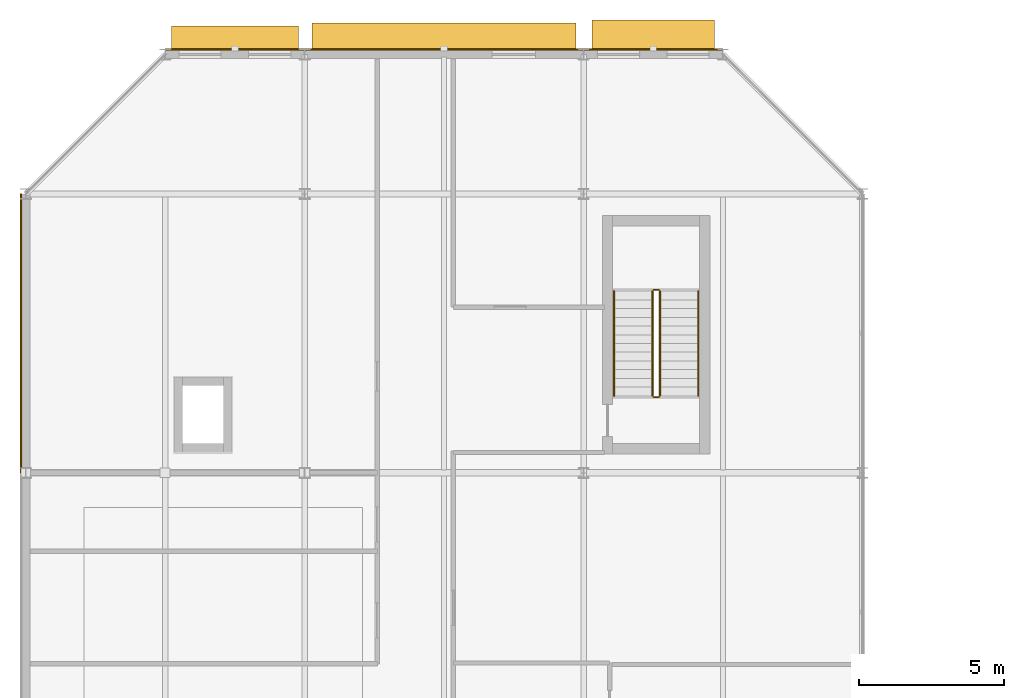
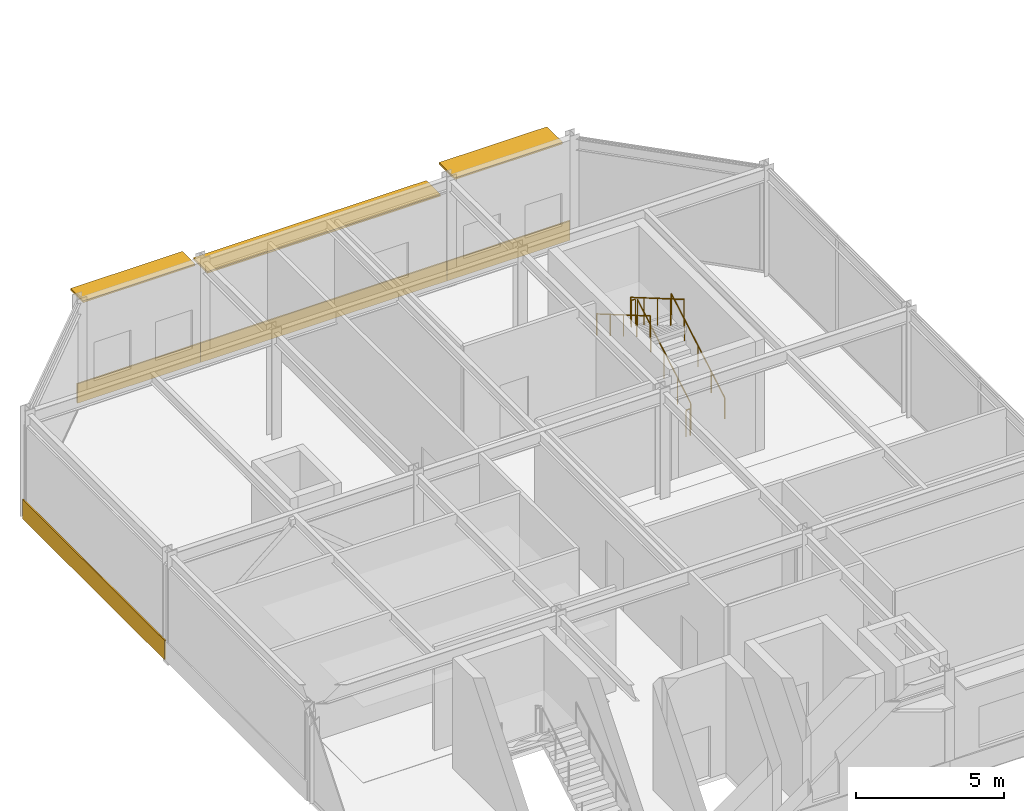
# One storey, part 107 of 116: 6 railings, 4 coverings, 3 shading devices.
"""IFC4 building model written with IfcOpenShell, lengths in metres."""

from ifc_helpers import new_model, si_unit, direction, frame, origin, origin_2d, place, context, subcontext, project, spatial, rectangle, circle, extrude, material, layer, layer_set, type_object, element, save


model = new_model("IFC4")

# Units and contexts
model_context = context("Model", 3, precision=1e-05, world=origin(), true_north=direction((0.0, 1.0)))
body_context = subcontext(model_context, "Body", "Model", "MODEL_VIEW")
ifc_project = project(units=[si_unit("LENGTHUNIT", "METRE"), si_unit("AREAUNIT", "SQUARE_METRE"), si_unit("VOLUMEUNIT", "CUBIC_METRE"), si_unit("PLANEANGLEUNIT", "RADIAN"), si_unit("MASSUNIT", "GRAM", prefix="KILO")], contexts=[model_context])

# Site, building, storey
site_placement = place(None, origin())
site = spatial("IfcSite", under=ifc_project, at=site_placement, CompositionType="ELEMENT")
building_placement = place(site_placement, origin())
building = spatial("IfcBuilding", under=site, at=building_placement, Name="Almandine Court Research Institute", CompositionType="ELEMENT")
storey_placement = place(building_placement, frame((0.0, 0.0, 14.35009765625)))
storey = spatial("IfcBuildingStorey", under=building, at=storey_placement, Name="L03", CompositionType="ELEMENT", Elevation=14.35009765625)

# Coverings
ifc_material_1 = material(Name="Extruded Cream-Ochre Seismic Terracotta Spandrel", Category="masonry")
ifc_layer_1 = layer(ifc_material_1, 0.054931640625)
ifc_layer_set_1 = layer_set([ifc_layer_1], Name="Extruded Cream-Ochre Seismic Terracotta Spandrel")
covering_type = type_object("IfcCoveringType", Name="Cov-CLAD-TERR", PredefinedType="CLADDING", material=ifc_layer_set_1)
covering_1_placement = place(storey_placement, frame((5.830078125, 108.0, 0.02001953125), z_axis=(0.0, 0.0, 1.0), x_axis=(0.0, 1.0, 0.0)))
element("IfcCovering", 1, at=covering_1_placement, inside=storey, type_object=covering_type, Name="L03 Facade Spandrel Cladding Band 68", PredefinedType="CLADDING", context=body_context, shape_type="SweptSolid", body=[
    extrude(rectangle(XDim=9.592041015625, YDim=0.054931640625, at=origin_2d()), origin(), (0.0, 0.0, 1.0), 0.800048828125),
])
covering_2_placement = place(storey_placement, frame((13.199951171875, 117.77001953125, 0.02001953125), z_axis=(0.0, 0.0, 1.0), x_axis=(1.0, 0.0, 0.0)))
element("IfcCovering", 2, at=covering_2_placement, inside=storey, type_object=covering_type, Name="L03 Facade Spandrel Cladding Band 69", PredefinedType="CLADDING", context=body_context, shape_type="SweptSolid", body=[
    extrude(rectangle(XDim=4.7919921875, YDim=0.054931640625, at=origin_2d()), origin(), (0.0, 0.0, 1.0), 0.800048828125),
])
covering_3_placement = place(storey_placement, frame((20.39990234375, 117.77001953125, 0.02001953125), z_axis=(0.0, 0.0, 1.0), x_axis=(1.0, 0.0, 0.0)))
element("IfcCovering", 3, at=covering_3_placement, inside=storey, type_object=covering_type, Name="L03 Facade Spandrel Cladding Band 70", PredefinedType="CLADDING", context=body_context, shape_type="SweptSolid", body=[
    extrude(rectangle(XDim=9.592041015625, YDim=0.054931640625, at=origin_2d()), origin(), (0.0, 0.0, 1.0), 0.800048828125),
])
covering_4_placement = place(storey_placement, frame((27.60009765625, 117.77001953125, 0.02001953125), z_axis=(0.0, 0.0, 1.0), x_axis=(1.0, 0.0, 0.0)))
element("IfcCovering", 4, at=covering_4_placement, inside=storey, type_object=covering_type, Name="L03 Facade Spandrel Cladding Band 71", PredefinedType="CLADDING", context=body_context, shape_type="SweptSolid", body=[
    extrude(rectangle(XDim=4.7919921875, YDim=0.054931640625, at=origin_2d()), origin(), (0.0, 0.0, 1.0), 0.800048828125),
])

# Railings
ifc_material_2 = material(Name="Powder-Coated Steel Stair and Atrium Balustrade", Category="steel")
railing_type_1 = type_object("IfcRailingType", Name="Rail-GUARD-INT", PredefinedType="BALUSTRADE", material=ifc_material_2)
railing_1_placement = place(storey_placement, frame((27.830078125, 105.85009765625, 0.1748046875)))
element("IfcRailing", 5, at=railing_1_placement, inside=storey, type_object=railing_type_1, Name="L03 ST-06 stair guard 1", PredefinedType="BALUSTRADE", context=body_context, shape_type="SweptSolid", body=[
    extrude(circle(Radius=0.02392578125, at=origin_2d()), frame((0.0, 0.0, 1.09619140625), z_axis=(0.0, 0.863759778359, 0.503903805591), x_axis=(-1.0, 0.0, 0.0)), (0.0, 0.0, 1.0), 4.167724609375),
    extrude(circle(Radius=0.02099609375, at=origin_2d()), origin(), (0.0, 0.0, 1.0), 1.072021484375),
    extrude(circle(Radius=0.02099609375, at=origin_2d()), frame((0.0, 0.89990234375, 0.52490234375)), (0.0, 0.0, 1.0), 1.072021484375),
    extrude(circle(Radius=0.02099609375, at=origin_2d()), frame((0.0, 1.7998046875, 1.050048828125)), (0.0, 0.0, 1.0), 1.072021484375),
    extrude(circle(Radius=0.02099609375, at=origin_2d()), frame((0.0, 2.699951171875, 1.5751953125)), (0.0, 0.0, 1.0), 1.072021484375),
    extrude(circle(Radius=0.02099609375, at=origin_2d()), frame((0.0, 3.599853515625, 2.10009765625)), (0.0, 0.0, 1.0), 1.072021484375),
])
railing_2_placement = place(storey_placement, frame((27.780029296875, 109.5, 2.27490234375)))
element("IfcRailing", 6, at=railing_2_placement, inside=storey, type_object=railing_type_1, Name="L03 ST-06 stair guard 2", PredefinedType="BALUSTRADE", context=body_context, shape_type="SweptSolid", body=[
    extrude(circle(Radius=0.02392578125, at=origin_2d()), frame((0.0, 0.0, 1.09619140625), z_axis=(-1.0, 0.0, 0.0), x_axis=(0.0, -1.0, 0.0)), (0.0, 0.0, 1.0), 0.159912109375),
    extrude(circle(Radius=0.02099609375, at=origin_2d()), origin(), (0.0, 0.0, 1.0), 1.072021484375),
    extrude(circle(Radius=0.02099609375, at=origin_2d()), frame((-0.159912109375, 0.0, 0.0)), (0.0, 0.0, 1.0), 1.072021484375),
])
railing_3_placement = place(storey_placement, frame((27.570068359375, 109.449951171875, 2.449951171875)))
element("IfcRailing", 7, at=railing_3_placement, inside=storey, type_object=railing_type_1, Name="L03 ST-06 stair guard 3", PredefinedType="BALUSTRADE", context=body_context, shape_type="SweptSolid", body=[
    extrude(circle(Radius=0.02392578125, at=origin_2d()), frame((0.0, 0.0, 1.09619140625), z_axis=(0.0, -0.86378527499, 0.503860098351), x_axis=(1.0, 0.0, 0.0)), (0.0, 0.0, 1.0), 4.16748046875),
    extrude(circle(Radius=0.02099609375, at=origin_2d()), origin(), (0.0, 0.0, 1.0), 1.072021484375),
    extrude(circle(Radius=0.02099609375, at=origin_2d()), frame((0.0, -0.89990234375, 0.52490234375)), (0.0, 0.0, 1.0), 1.072021484375),
    extrude(circle(Radius=0.02099609375, at=origin_2d()), frame((0.0, -1.7998046875, 1.0498046875)), (0.0, 0.0, 1.0), 1.072021484375),
    extrude(circle(Radius=0.02099609375, at=origin_2d()), frame((0.0, -2.699951171875, 1.574951171875)), (0.0, 0.0, 1.0), 1.072021484375),
    extrude(circle(Radius=0.02099609375, at=origin_2d()), frame((0.0, -3.599853515625, 2.099853515625)), (0.0, 0.0, 1.0), 1.072021484375),
])
railing_4_placement = place(storey_placement, frame((27.780029296875, 105.800048828125, 0.0)))
element("IfcRailing", 8, at=railing_4_placement, inside=storey, type_object=railing_type_1, Name="L03 ST-06 stair guard 4", PredefinedType="BALUSTRADE", context=body_context, shape_type="SweptSolid", body=[
    extrude(circle(Radius=0.02392578125, at=origin_2d()), frame((0.0, 0.0, 1.09619140625), z_axis=(-1.0, 0.0, 0.0), x_axis=(0.0, -1.0, 0.0)), (0.0, 0.0, 1.0), 0.159912109375),
    extrude(circle(Radius=0.02099609375, at=origin_2d()), origin(), (0.0, 0.0, 1.0), 1.072021484375),
    extrude(circle(Radius=0.02099609375, at=origin_2d()), frame((-0.159912109375, 0.0, 0.0)), (0.0, 0.0, 1.0), 1.072021484375),
])
ifc_material_3 = material(Name="Brushed Stainless Steel Wall Handrail", Category="steel")
railing_type_2 = type_object("IfcRailingType", Name="Rail-HAND-INT", PredefinedType="HANDRAIL", material=ifc_material_3)
railing_5_placement = place(storey_placement, frame((29.14990234375, 105.85009765625, 0.1748046875)))
element("IfcRailing", 9, at=railing_5_placement, inside=storey, type_object=railing_type_2, Name="L03 ST-06 stair handrail 1", PredefinedType="HANDRAIL", context=body_context, shape_type="SweptSolid", body=[
    extrude(circle(Radius=0.02392578125, at=origin_2d()), frame((0.0, 0.0, 0.8759765625), z_axis=(0.0, 0.863759778359, 0.503903805591), x_axis=(-1.0, 0.0, 0.0)), (0.0, 0.0, 1.0), 4.167724609375),
    extrude(circle(Radius=0.02099609375, at=origin_2d()), origin(), (0.0, 0.0, 1.0), 0.851806640625),
    extrude(circle(Radius=0.02099609375, at=origin_2d()), frame((0.0, 0.89990234375, 0.52490234375)), (0.0, 0.0, 1.0), 0.851806640625),
    extrude(circle(Radius=0.02099609375, at=origin_2d()), frame((0.0, 1.7998046875, 1.050048828125)), (0.0, 0.0, 1.0), 0.851806640625),
    extrude(circle(Radius=0.02099609375, at=origin_2d()), frame((0.0, 2.699951171875, 1.5751953125)), (0.0, 0.0, 1.0), 0.851806640625),
    extrude(circle(Radius=0.02099609375, at=origin_2d()), frame((0.0, 3.599853515625, 2.10009765625)), (0.0, 0.0, 1.0), 0.851806640625),
])
railing_6_placement = place(storey_placement, frame((26.25, 109.449951171875, 2.449951171875)))
element("IfcRailing", 10, at=railing_6_placement, inside=storey, type_object=railing_type_2, Name="L03 ST-06 stair handrail 2", PredefinedType="HANDRAIL", context=body_context, shape_type="SweptSolid", body=[
    extrude(circle(Radius=0.02392578125, at=origin_2d()), frame((0.0, 0.0, 0.8759765625), z_axis=(0.0, -0.86378527499, 0.503860098351), x_axis=(1.0, 0.0, 0.0)), (0.0, 0.0, 1.0), 4.16748046875),
    extrude(circle(Radius=0.02099609375, at=origin_2d()), origin(), (0.0, 0.0, 1.0), 0.851806640625),
    extrude(circle(Radius=0.02099609375, at=origin_2d()), frame((0.0, -0.89990234375, 0.52490234375)), (0.0, 0.0, 1.0), 0.851806640625),
    extrude(circle(Radius=0.02099609375, at=origin_2d()), frame((0.0, -1.7998046875, 1.0498046875)), (0.0, 0.0, 1.0), 0.851806640625),
    extrude(circle(Radius=0.02099609375, at=origin_2d()), frame((0.0, -2.699951171875, 1.574951171875)), (0.0, 0.0, 1.0), 0.851806640625),
    extrude(circle(Radius=0.02099609375, at=origin_2d()), frame((0.0, -3.599853515625, 2.099853515625)), (0.0, 0.0, 1.0), 0.851806640625),
])

# Shading devices
ifc_material_4 = material(Name="Precast GFRC Chhajja Sunshade and Acoustic Louvre", Category="concrete")
ifc_layer_2 = layer(ifc_material_4, 0.080078125)
ifc_layer_set_2 = layer_set([ifc_layer_2], Name="Precast GFRC Chhajja Sunshade and Acoustic Louvre")
shading_device_type_1 = type_object("IfcShadingDeviceType", Name="Shd-SD-21", PredefinedType="AWNING", material=ifc_layer_set_2)
shading_device_1_placement = place(storey_placement, frame((13.199951171875, 118.159912109375, 4.08984375), z_axis=(0.0, 0.0, 1.0), x_axis=(1.0, 0.0, 0.0)))
element("IfcShadingDevice", 11, at=shading_device_1_placement, inside=storey, type_object=shading_device_type_1, Name="L03 Projecting Chhajja Sunshade 37", PredefinedType="AWNING", context=body_context, shape_type="SweptSolid", body=[
    extrude(rectangle(XDim=4.362060546875, YDim=0.85009765625, at=origin_2d()), origin(), (0.0, 0.0, 1.0), 0.080078125),
])
ifc_layer_3 = layer(ifc_material_4, 0.080078125)
ifc_layer_set_3 = layer_set([ifc_layer_3], Name="Precast GFRC Chhajja Sunshade and Acoustic Louvre")
shading_device_type_2 = type_object("IfcShadingDeviceType", Name="Shd-SD-28", PredefinedType="AWNING", material=ifc_layer_set_3)
shading_device_2_placement = place(storey_placement, frame((20.39990234375, 118.2099609375, 3.603759765625), z_axis=(0.0, 0.0, 1.0), x_axis=(1.0, 0.0, 0.0)))
element("IfcShadingDevice", 12, at=shading_device_2_placement, inside=storey, type_object=shading_device_type_2, Name="L03 Projecting Chhajja Sunshade 38", PredefinedType="AWNING", context=body_context, shape_type="SweptSolid", body=[
    extrude(rectangle(XDim=9.08203125, YDim=0.949951171875, at=origin_2d()), origin(), (0.0, 0.0, 1.0), 0.080078125),
])
ifc_layer_4 = layer(ifc_material_4, 0.080078125)
ifc_layer_set_4 = layer_set([ifc_layer_4], Name="Precast GFRC Chhajja Sunshade and Acoustic Louvre")
shading_device_type_3 = type_object("IfcShadingDeviceType", Name="Shd-SD-29", PredefinedType="AWNING", material=ifc_layer_set_4)
shading_device_3_placement = place(storey_placement, frame((27.60009765625, 118.260009765625, 4.08984375), z_axis=(0.0, 0.0, 1.0), x_axis=(1.0, 0.0, 0.0)))
element("IfcShadingDevice", 13, at=shading_device_3_placement, inside=storey, type_object=shading_device_type_3, Name="L03 Projecting Chhajja Sunshade 39", PredefinedType="AWNING", context=body_context, shape_type="SweptSolid", body=[
    extrude(rectangle(XDim=4.201904296875, YDim=1.050048828125, at=origin_2d()), origin(), (0.0, 0.0, 1.0), 0.080078125),
])

save(model, "model.ifc")
